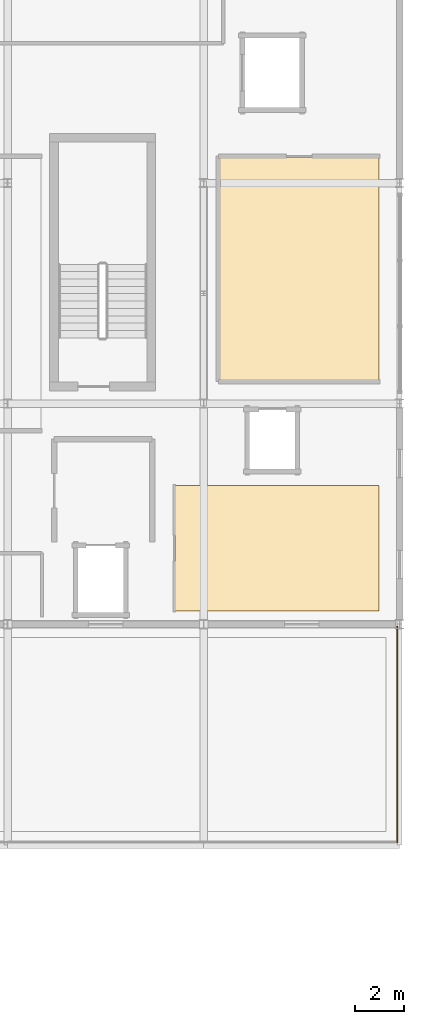
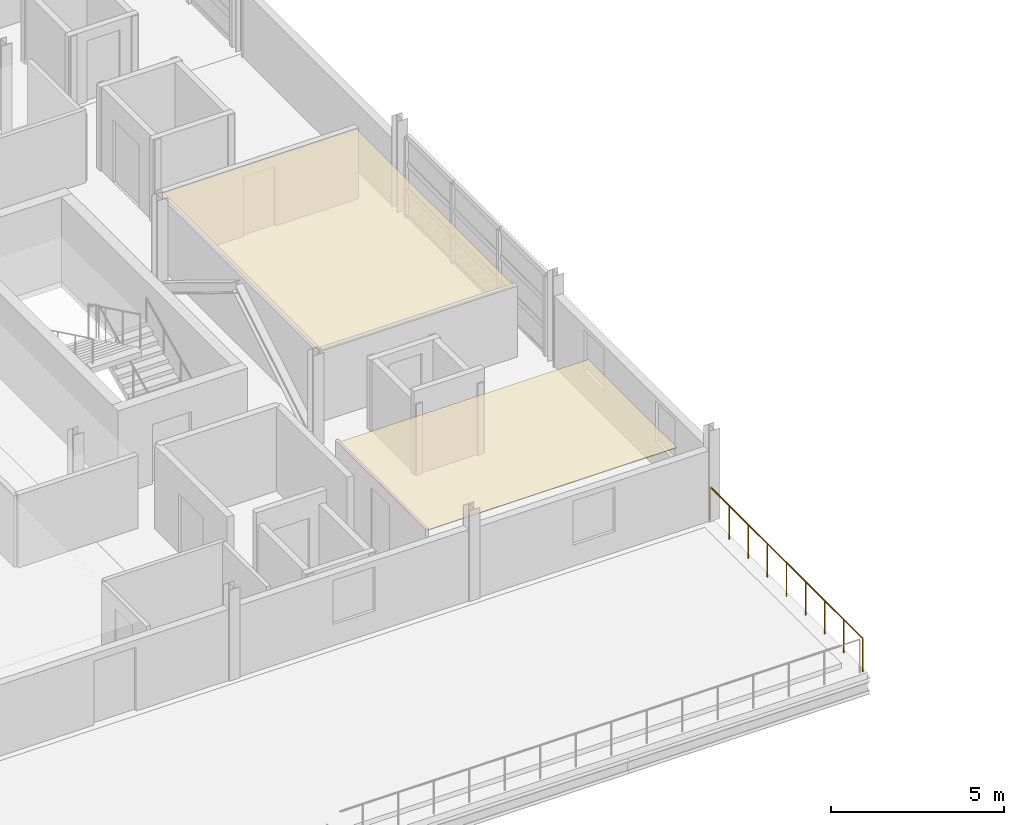
# One storey, part 30 of 30: 2 coverings, 1 railing.
"""IFC4 building model written with IfcOpenShell, lengths in metres."""

from ifc_helpers import new_model, si_unit, direction, frame, origin, origin_2d, place, context, subcontext, project, spatial, polyline, circle, outline, extrude, material, layer, layer_set, type_object, element, save


model = new_model("IFC4")

# Units and contexts
model_context = context("Model", 3, precision=1e-05, world=origin(), true_north=direction((0.0, 1.0)))
body_context = subcontext(model_context, "Body", "Model", "MODEL_VIEW")
ifc_project = project(units=[si_unit("LENGTHUNIT", "METRE"), si_unit("AREAUNIT", "SQUARE_METRE"), si_unit("VOLUMEUNIT", "CUBIC_METRE"), si_unit("PLANEANGLEUNIT", "RADIAN"), si_unit("MASSUNIT", "GRAM", prefix="KILO")], contexts=[model_context])

# Site, building, storey
site_placement = place(None, origin())
site = spatial("IfcSite", under=ifc_project, at=site_placement, CompositionType="ELEMENT")
building_placement = place(site_placement, origin())
building = spatial("IfcBuilding", under=site, at=building_placement, Name="Chuanluo Vaults Station", CompositionType="ELEMENT")
storey_placement = place(building_placement, frame((0.0, 0.0, 17.60009765625)))
storey = spatial("IfcBuildingStorey", under=building, at=storey_placement, Name="L04", CompositionType="ELEMENT", Elevation=17.60009765625)

# Coverings
ifc_material_1 = material(Name="Acoustic mineral-fibre tile")
ifc_layer = layer(ifc_material_1, 0.02490234375)
ifc_layer_set = layer_set([ifc_layer], Name="Acoustic mineral-fibre tile")
covering_type = type_object("IfcCoveringType", Name="COV-CEIL-TILE", PredefinedType="CEILING", material=ifc_layer_set)
covering_1_placement = place(storey_placement, frame((0.0, 0.0, 2.414794921875)))
element("IfcCovering", 1, at=covering_1_placement, inside=storey, type_object=covering_type, Name="L04-09 suspended acoustic ceiling", PredefinedType="CEILING", context=body_context, shape_type="SweptSolid", body=[
    extrude(outline(polyline([(180.639892578125, 86.43994140625), (187.159912109375, 86.43994140625), (187.159912109375, 95.56005859375), (180.639892578125, 95.56005859375), (180.639892578125, 86.43994140625)])), origin(), (0.0, 0.0, 1.0), 0.025146484375),
])
covering_2_placement = place(storey_placement, frame((0.0, 0.0, 2.414794921875)))
element("IfcCovering", 2, at=covering_2_placement, inside=storey, type_object=covering_type, Name="L04-14 suspended acoustic ceiling", PredefinedType="CEILING", context=body_context, shape_type="SweptSolid", body=[
    extrude(outline(polyline([(178.840087890625, 77.0400390625), (187.159912109375, 77.0400390625), (187.159912109375, 82.159912109375), (178.840087890625, 82.159912109375), (178.840087890625, 77.0400390625)])), origin(), (0.0, 0.0, 1.0), 0.025146484375),
])

# Railing
ifc_material_2 = material(Name="Tempered laminated balustrade glass", Category="glass")
railing_type = type_object("IfcRailingType", Name="RLG-GUARD-1200", PredefinedType="BALUSTRADE", material=ifc_material_2)
railing_placement = place(storey_placement, frame((187.89990234375, 76.39990234375, 0.0)))
element("IfcRailing", 3, at=railing_placement, inside=storey, type_object=railing_type, Name="Planted terrace perimeter balustrade TER-OPS-L04-E", PredefinedType="BALUSTRADE", context=body_context, shape_type="SweptSolid", body=[
    extrude(circle(Radius=0.02392578125, at=origin_2d()), frame((0.0, 0.0, 1.17578125), z_axis=(0.0, -1.0, 0.0), x_axis=(1.0, 0.0, 0.0)), (0.0, 0.0, 1.0), 8.7998046875),
    extrude(circle(Radius=0.02099609375, at=origin_2d()), origin(), (0.0, 0.0, 1.0), 1.15185546875),
    extrude(circle(Radius=0.02099609375, at=origin_2d()), frame((0.0, -1.10009765625, 0.0)), (0.0, 0.0, 1.0), 1.15185546875),
    extrude(circle(Radius=0.02099609375, at=origin_2d()), frame((0.0, -2.199951171875, 0.0)), (0.0, 0.0, 1.0), 1.15185546875),
    extrude(circle(Radius=0.02099609375, at=origin_2d()), frame((0.0, -3.2998046875, 0.0)), (0.0, 0.0, 1.0), 1.15185546875),
    extrude(circle(Radius=0.02099609375, at=origin_2d()), frame((0.0, -4.39990234375, 0.0)), (0.0, 0.0, 1.0), 1.15185546875),
    extrude(circle(Radius=0.02099609375, at=origin_2d()), frame((0.0, -5.5, 0.0)), (0.0, 0.0, 1.0), 1.15185546875),
    extrude(circle(Radius=0.02099609375, at=origin_2d()), frame((0.0, -6.599853515625, 0.0)), (0.0, 0.0, 1.0), 1.15185546875),
    extrude(circle(Radius=0.02099609375, at=origin_2d()), frame((0.0, -7.69970703125, 0.0)), (0.0, 0.0, 1.0), 1.15185546875),
    extrude(circle(Radius=0.02099609375, at=origin_2d()), frame((0.0, -8.7998046875, 0.0)), (0.0, 0.0, 1.0), 1.15185546875),
])

save(model, "model.ifc")
